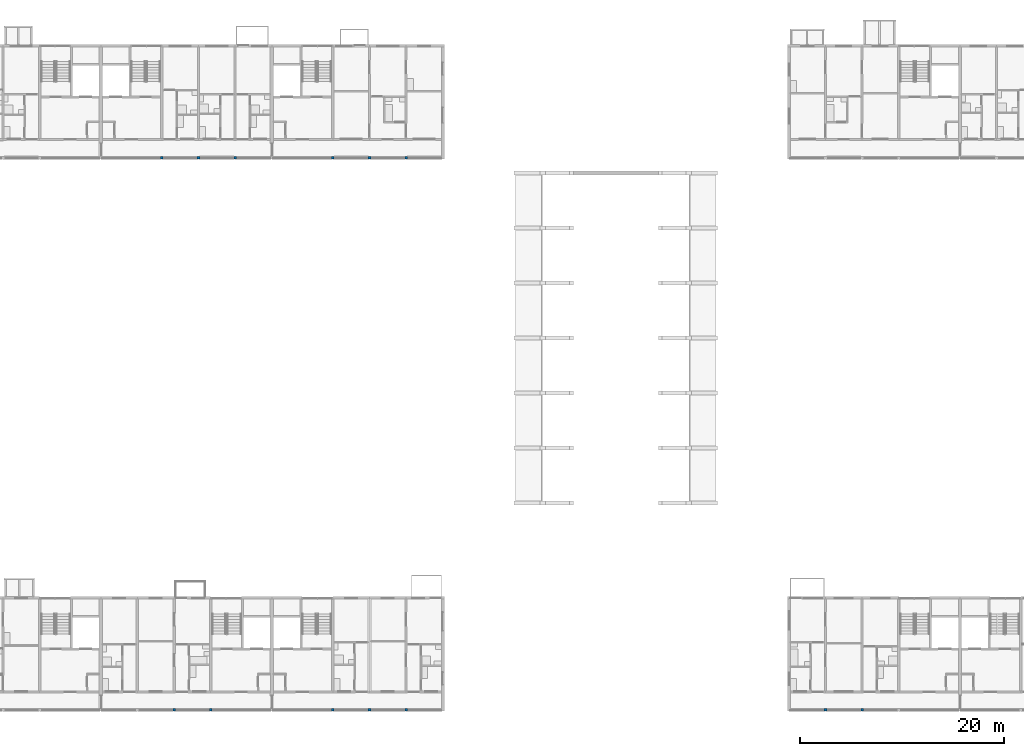
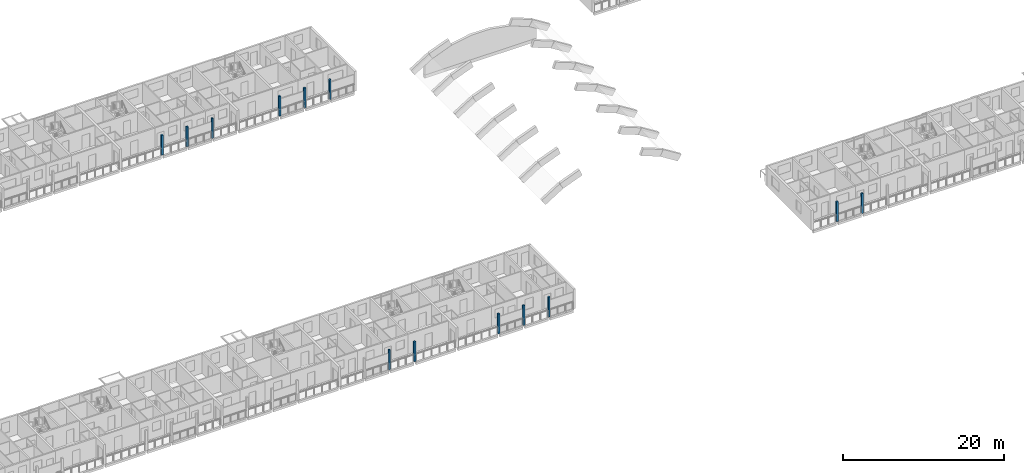
# One storey, part 2 of 99: 13 columns.
"""IFC4 building model written with IfcOpenShell, lengths in metres."""

from ifc_helpers import new_model, si_unit, direction, frame, origin, origin_2d, place, context, subcontext, project, spatial, rectangle, extrude, material, material_profile, profile_set, type_object, element, save


model = new_model("IFC4")

# Units and contexts
model_context = context("Model", 3, precision=1e-05, world=origin(), true_north=direction((0.0, 1.0)))
body_context = subcontext(model_context, "Body", "Model", "MODEL_VIEW")
ifc_project = project(units=[si_unit("LENGTHUNIT", "METRE"), si_unit("AREAUNIT", "SQUARE_METRE"), si_unit("VOLUMEUNIT", "CUBIC_METRE"), si_unit("PLANEANGLEUNIT", "RADIAN"), si_unit("MASSUNIT", "GRAM", prefix="KILO")], contexts=[model_context])

# Site, building, storey
site_placement = place(None, origin())
site = spatial("IfcSite", under=ifc_project, at=site_placement, CompositionType="ELEMENT")
building_placement = place(site_placement, origin())
building = spatial("IfcBuilding", under=site, at=building_placement, Name="Ridgestep Commons", CompositionType="ELEMENT")
storey_placement = place(building_placement, frame((0.0, 0.0, 15.0)))
storey = spatial("IfcBuildingStorey", under=building, at=storey_placement, Name="L05", CompositionType="ELEMENT", Elevation=15.0)

# Columns
ifc_material = material(Name="Precast concrete C40/50", Category="concrete")
ifc_material_profile = material_profile(ifc_material, rectangle(XDim=0.25, YDim=0.25, at=origin_2d()), Name="PC 250x250")
ifc_profile_set = profile_set([ifc_material_profile], Name="Precast concrete C40/50")
column_type = type_object("IfcColumnType", Name="Loggia column 250 x 250", PredefinedType="COLUMN", material=ifc_profile_set)
for number, where, z_axis, x_axis, name in (
    (1, (86.39990234375, 11.875, 0.0), (0.0, 0.0, 1.0), (1.0, 0.0, 0.0), "Loggia column A L05"),
    (2, (90.0, 11.875, 0.0), (0.0, 0.0, 1.0), (1.0, 0.0, 0.0), "Loggia column A L05"),
    (3, (102.0, 11.875, 0.0), (0.0, 0.0, 1.0), (1.0, 0.0, 0.0), "Loggia column A L05"),
    (4, (105.60009765625, 11.875, 0.0), (0.0, 0.0, 1.0), (1.0, 0.0, 0.0), "Loggia column A L05"),
    (5, (109.199951171875, 11.875, 0.0), (0.0, 0.0, 1.0), (1.0, 0.0, 0.0), "Loggia column A L05"),
    (6, (85.199951171875, 66.125, 0.0), (0.0, 0.0, 1.0), (1.0, 0.0, 0.0), "Loggia column B L05"),
    (7, (88.800048828125, 66.125, 0.0), (0.0, 0.0, 1.0), (1.0, 0.0, 0.0), "Loggia column B L05"),
    (8, (92.39990234375, 66.125, 0.0), (0.0, 0.0, 1.0), (1.0, 0.0, 0.0), "Loggia column B L05"),
    (9, (102.0, 66.125, 0.0), (0.0, 0.0, 1.0), (1.0, 0.0, 0.0), "Loggia column B L05"),
    (10, (105.60009765625, 66.125, 0.0), (0.0, 0.0, 1.0), (1.0, 0.0, 0.0), "Loggia column B L05"),
    (11, (109.199951171875, 66.125, 0.0), (0.0, 0.0, 1.0), (1.0, 0.0, 0.0), "Loggia column B L05"),
    (12, (150.39990234375, 11.875, 0.0), (0.0, 0.0, 1.0), (1.0, 0.0, 0.0), "Loggia column D L05"),
    (13, (154.0, 11.875, 0.0), (0.0, 0.0, 1.0), (1.0, 0.0, 0.0), "Loggia column D L05"),
):
    element("IfcColumn", number, at=place(storey_placement, frame(where, z_axis=z_axis, x_axis=x_axis)), inside=storey, type_object=column_type, Name=name, PredefinedType="COLUMN", context=body_context, shape_type="SweptSolid", body=[
        extrude(rectangle(XDim=0.25, YDim=0.25, at=origin_2d()), origin(), (0.0, 0.0, 1.0), 3.0),
    ])

save(model, "model.ifc")
